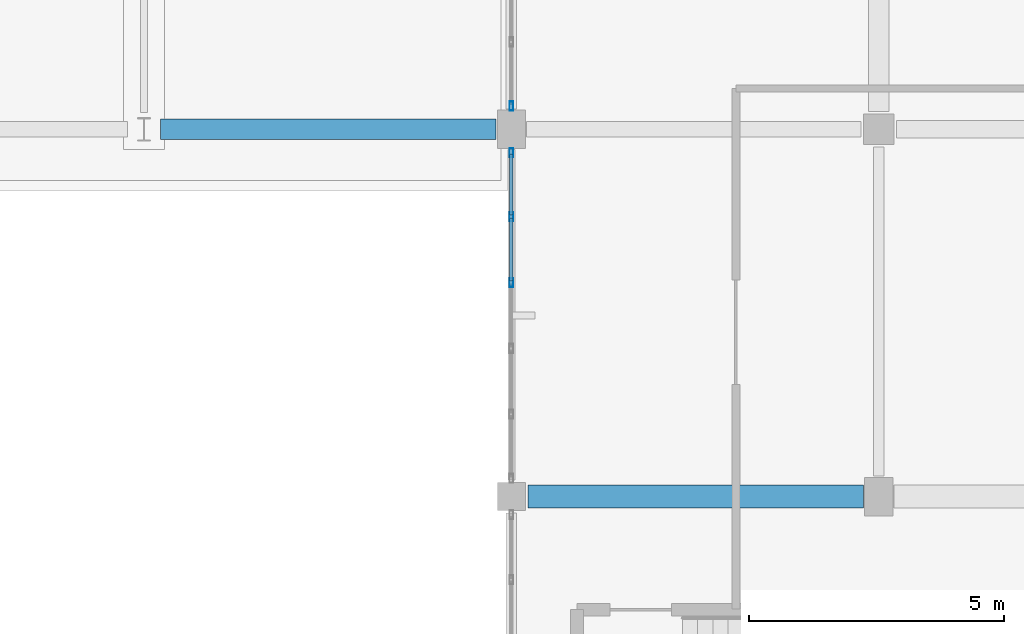
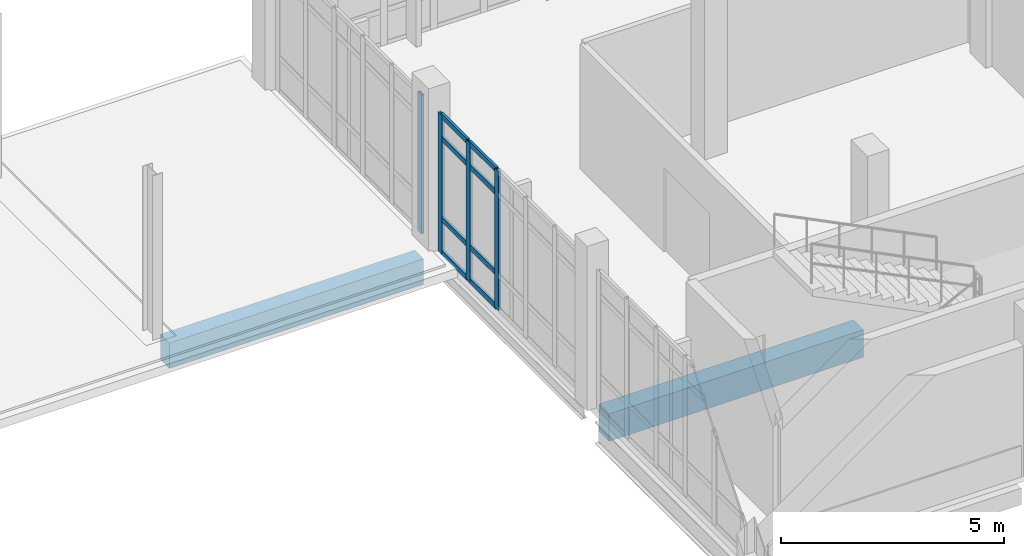
# One storey, part 36 of 134: 12 members, 2 beams, 2 elements without a shape of their own.
"""IFC4 building model written with IfcOpenShell, lengths in metres."""

from ifc_helpers import new_model, si_unit, direction, frame, origin, origin_2d, place, context, subcontext, project, spatial, rectangle, hollow_rectangle, extrude, material, material_profile, profile_set, type_object, element, aggregate, save


model = new_model("IFC4")

# Units and contexts
model_context = context("Model", 3, precision=1e-05, world=origin(), true_north=direction((0.0, 1.0)))
body_context = subcontext(model_context, "Body", "Model", "MODEL_VIEW")
ifc_project = project(units=[si_unit("LENGTHUNIT", "METRE"), si_unit("AREAUNIT", "SQUARE_METRE"), si_unit("VOLUMEUNIT", "CUBIC_METRE"), si_unit("PLANEANGLEUNIT", "RADIAN"), si_unit("MASSUNIT", "GRAM", prefix="KILO")], contexts=[model_context])

# Site, building, storey
site_placement = place(None, origin())
site = spatial("IfcSite", under=ifc_project, at=site_placement, CompositionType="ELEMENT")
building_placement = place(site_placement, origin())
building = spatial("IfcBuilding", under=site, at=building_placement, Name="Kalluvel Institute of Natural Sciences", CompositionType="ELEMENT")
storey_placement = place(building_placement, frame((0.0, 0.0, 5.39990234375)))
storey = spatial("IfcBuildingStorey", under=building, at=storey_placement, Name="L01", CompositionType="ELEMENT", Elevation=5.39990234375)

# Beam
ifc_material_1 = material(Name="Concrete M40", Category="concrete")
ifc_material_profile_1 = material_profile(ifc_material_1, rectangle(XDim=0.449951171875, YDim=0.75, at=origin_2d()), Name="RCB 450x750")
ifc_profile_set_1 = profile_set([ifc_material_profile_1], Name="Concrete M40")
beam_type_1 = type_object("IfcBeamType", Name="BM-RC450x750", PredefinedType="BEAM", material=ifc_profile_set_1)
beam_1_placement = place(storey_placement, frame((100.72509765625, 21.199951171875, -0.69482421875), z_axis=(1.0, 0.0, 0.0), x_axis=(0.0, 1.0, 0.0)))
element("IfcBeam", 1, at=beam_1_placement, inside=storey, type_object=beam_type_1, Name="L01 girder GIR-L01-EW-X1004-Y212", PredefinedType="BEAM", context=body_context, shape_type="SweptSolid", body=[
    extrude(rectangle(XDim=0.449951171875, YDim=0.75, at=origin_2d()), origin(), (0.0, 0.0, 1.0), 6.574951171875),
])

# Curtain wall, members
ifc_material_2 = material(Name="Aluminium AW-6063 T6", Category="aluminium")
curtain_wall_type = type_object("IfcCurtainWallType", Name="CW-SPAV-45", PredefinedType="USERDEFINED", material=ifc_material_2)
curtain_wall_1_placement = place(storey_placement, origin())
curtain_wall_1 = element("IfcCurtainWall", 2, at=curtain_wall_1_placement, inside=storey, type_object=curtain_wall_type, Name="L01 Gothic lancet curtain wall CWA-L01-X1004-Y215", ObjectType="UNITISED LANCET FACADE", PredefinedType="USERDEFINED")
ifc_material_profile_2 = material_profile(ifc_material_2, hollow_rectangle(XDim=0.06494140625, YDim=0.179931640625, WallThickness=0.00439453125, at=origin_2d()), Name="CWM 65x180")
ifc_profile_set_2 = profile_set([ifc_material_profile_2], Name="Aluminium AW-6063 T6")
member_type_1 = type_object("IfcMemberType", Name="CWM-65x180", PredefinedType="MULLION", material=ifc_profile_set_2)
member_1_placement = place(storey_placement, frame((100.39990234375, 25.39501953125, 0.0), z_axis=(0.0, 0.0, 1.0), x_axis=(-1.0, 0.0, 0.0)))
member_1 = element("IfcMember", 3, at=member_1_placement, type_object=member_type_1, Name="CW-10 mullion 4", PredefinedType="MULLION", context=body_context, shape_type="SweptSolid", body=[
    extrude(hollow_rectangle(XDim=0.06494140625, YDim=0.179931640625, WallThickness=0.00439453125, at=origin_2d()), origin(), (0.0, 0.0, 1.0), 3.800048828125),
])
member_2_placement = place(storey_placement, frame((100.39990234375, 26.68505859375, 0.0), z_axis=(0.0, 0.0, 1.0), x_axis=(-1.0, 0.0, 0.0)))
member_2 = element("IfcMember", 4, at=member_2_placement, type_object=member_type_1, Name="CW-10 mullion 5", PredefinedType="MULLION", context=body_context, shape_type="SweptSolid", body=[
    extrude(hollow_rectangle(XDim=0.06494140625, YDim=0.179931640625, WallThickness=0.00439453125, at=origin_2d()), origin(), (0.0, 0.0, 1.0), 3.800048828125),
])
member_3_placement = place(storey_placement, frame((100.39990234375, 27.9423828125, 0.0), z_axis=(0.0, 0.0, 1.0), x_axis=(-1.0, 0.0, 0.0)))
member_3 = element("IfcMember", 5, at=member_3_placement, type_object=member_type_1, Name="CW-10 mullion 6", PredefinedType="MULLION", context=body_context, shape_type="SweptSolid", body=[
    extrude(hollow_rectangle(XDim=0.06494140625, YDim=0.179931640625, WallThickness=0.00439453125, at=origin_2d()), origin(), (0.0, 0.0, 1.0), 3.800048828125),
])

# Curtain wall, member
curtain_wall_2_placement = place(storey_placement, origin())
curtain_wall_2 = element("IfcCurtainWall", 6, at=curtain_wall_2_placement, inside=storey, type_object=curtain_wall_type, Name="L01 Gothic lancet curtain wall CWA-L01-X1004-Y288", ObjectType="UNITISED LANCET FACADE", PredefinedType="USERDEFINED")
member_4_placement = place(storey_placement, frame((100.39990234375, 28.857421875, 0.0), z_axis=(0.0, 0.0, 1.0), x_axis=(-1.0, 0.0, 0.0)))
member_4 = element("IfcMember", 7, at=member_4_placement, type_object=member_type_1, Name="CW-10 mullion 1", PredefinedType="MULLION", context=body_context, shape_type="SweptSolid", body=[
    extrude(hollow_rectangle(XDim=0.06494140625, YDim=0.179931640625, WallThickness=0.00439453125, at=origin_2d()), origin(), (0.0, 0.0, 1.0), 3.800048828125),
])
aggregate(curtain_wall_2, [member_4])

# Member
ifc_material_profile_3 = material_profile(ifc_material_2, hollow_rectangle(XDim=0.06494140625, YDim=0.139892578125, WallThickness=0.00439453125, at=origin_2d()), Name="CWT 65x140")
ifc_profile_set_3 = profile_set([ifc_material_profile_3], Name="Aluminium AW-6063 T6")
member_type_2 = type_object("IfcMemberType", Name="CWT-65x140", PredefinedType="USERDEFINED", material=ifc_profile_set_3)
member_5_placement = place(storey_placement, frame((100.39990234375, 25.427490234375, 0.03271484375), z_axis=(0.0, 1.0, 0.0), x_axis=(-1.0, 0.0, 0.0)))
member_5 = element("IfcMember", 8, at=member_5_placement, type_object=member_type_2, Name="CW-10 transom 4.1", ObjectType="TRANSOM", PredefinedType="USERDEFINED", context=body_context, shape_type="SweptSolid", body=[
    extrude(hollow_rectangle(XDim=0.06494140625, YDim=0.139892578125, WallThickness=0.00439453125, at=origin_2d()), origin(), (0.0, 0.0, 1.0), 1.22509765625),
])

member_6_placement = place(storey_placement, frame((100.39990234375, 25.427490234375, 0.9501953125), z_axis=(0.0, 1.0, 0.0), x_axis=(-1.0, 0.0, 0.0)))
member_6 = element("IfcMember", 9, at=member_6_placement, type_object=member_type_2, Name="CW-10 transom 4.2", ObjectType="TRANSOM", PredefinedType="USERDEFINED", context=body_context, shape_type="SweptSolid", body=[
    extrude(hollow_rectangle(XDim=0.06494140625, YDim=0.139892578125, WallThickness=0.00439453125, at=origin_2d()), origin(), (0.0, 0.0, 1.0), 1.22509765625),
])

member_7_placement = place(storey_placement, frame((100.39990234375, 25.427490234375, 3.150146484375), z_axis=(0.0, 1.0, 0.0), x_axis=(-1.0, 0.0, 0.0)))
member_7 = element("IfcMember", 10, at=member_7_placement, type_object=member_type_2, Name="CW-10 transom 4.3", ObjectType="TRANSOM", PredefinedType="USERDEFINED", context=body_context, shape_type="SweptSolid", body=[
    extrude(hollow_rectangle(XDim=0.06494140625, YDim=0.139892578125, WallThickness=0.00439453125, at=origin_2d()), origin(), (0.0, 0.0, 1.0), 1.22509765625),
])

member_8_placement = place(storey_placement, frame((100.39990234375, 25.427490234375, 3.767578125), z_axis=(0.0, 1.0, 0.0), x_axis=(-1.0, 0.0, 0.0)))
member_8 = element("IfcMember", 11, at=member_8_placement, type_object=member_type_2, Name="CW-10 transom 4.4", ObjectType="TRANSOM", PredefinedType="USERDEFINED", context=body_context, shape_type="SweptSolid", body=[
    extrude(hollow_rectangle(XDim=0.06494140625, YDim=0.139892578125, WallThickness=0.00439453125, at=origin_2d()), origin(), (0.0, 0.0, 1.0), 1.22509765625),
])

member_9_placement = place(storey_placement, frame((100.39990234375, 26.717529296875, 0.03271484375), z_axis=(0.0, 1.0, 0.0), x_axis=(-1.0, 0.0, 0.0)))
member_9 = element("IfcMember", 12, at=member_9_placement, type_object=member_type_2, Name="CW-10 transom 5.1", ObjectType="TRANSOM", PredefinedType="USERDEFINED", context=body_context, shape_type="SweptSolid", body=[
    extrude(hollow_rectangle(XDim=0.06494140625, YDim=0.139892578125, WallThickness=0.00439453125, at=origin_2d()), origin(), (0.0, 0.0, 1.0), 1.1923828125),
])

member_10_placement = place(storey_placement, frame((100.39990234375, 26.717529296875, 0.9501953125), z_axis=(0.0, 1.0, 0.0), x_axis=(-1.0, 0.0, 0.0)))
member_10 = element("IfcMember", 13, at=member_10_placement, type_object=member_type_2, Name="CW-10 transom 5.2", ObjectType="TRANSOM", PredefinedType="USERDEFINED", context=body_context, shape_type="SweptSolid", body=[
    extrude(hollow_rectangle(XDim=0.06494140625, YDim=0.139892578125, WallThickness=0.00439453125, at=origin_2d()), origin(), (0.0, 0.0, 1.0), 1.1923828125),
])

member_11_placement = place(storey_placement, frame((100.39990234375, 26.717529296875, 3.150146484375), z_axis=(0.0, 1.0, 0.0), x_axis=(-1.0, 0.0, 0.0)))
member_11 = element("IfcMember", 14, at=member_11_placement, type_object=member_type_2, Name="CW-10 transom 5.3", ObjectType="TRANSOM", PredefinedType="USERDEFINED", context=body_context, shape_type="SweptSolid", body=[
    extrude(hollow_rectangle(XDim=0.06494140625, YDim=0.139892578125, WallThickness=0.00439453125, at=origin_2d()), origin(), (0.0, 0.0, 1.0), 1.1923828125),
])

member_12_placement = place(storey_placement, frame((100.39990234375, 26.717529296875, 3.767578125), z_axis=(0.0, 1.0, 0.0), x_axis=(-1.0, 0.0, 0.0)))
member_12 = element("IfcMember", 15, at=member_12_placement, type_object=member_type_2, Name="CW-10 transom 5.4", ObjectType="TRANSOM", PredefinedType="USERDEFINED", context=body_context, shape_type="SweptSolid", body=[
    extrude(hollow_rectangle(XDim=0.06494140625, YDim=0.139892578125, WallThickness=0.00439453125, at=origin_2d()), origin(), (0.0, 0.0, 1.0), 1.1923828125),
])

aggregate(curtain_wall_1, [member_1, member_2, member_3, member_5, member_6, member_7, member_8, member_9, member_10, member_11, member_12])

# Beam
ifc_material_profile_4 = material_profile(ifc_material_1, rectangle(XDim=0.39990234375, YDim=0.699951171875, at=origin_2d()), Name="RCB 400x700")
ifc_profile_set_4 = profile_set([ifc_material_profile_4], Name="Concrete M40")
beam_type_2 = type_object("IfcBeamType", Name="SP-RC400x700", PredefinedType="SPANDREL", material=ifc_profile_set_4)
beam_2_placement = place(storey_placement, frame((93.52490234375, 28.39990234375, -0.58984375), z_axis=(1.0, 0.0, 0.0), x_axis=(0.0, 1.0, 0.0)))
element("IfcBeam", 16, at=beam_2_placement, inside=storey, type_object=beam_type_2, Name="L01 girder GIR-L01-EW-X932-Y284", PredefinedType="SPANDREL", context=body_context, shape_type="SweptSolid", body=[
    extrude(rectangle(XDim=0.39990234375, YDim=0.699951171875, at=origin_2d()), origin(), (0.0, 0.0, 1.0), 6.5751953125),
])

save(model, "model.ifc")
